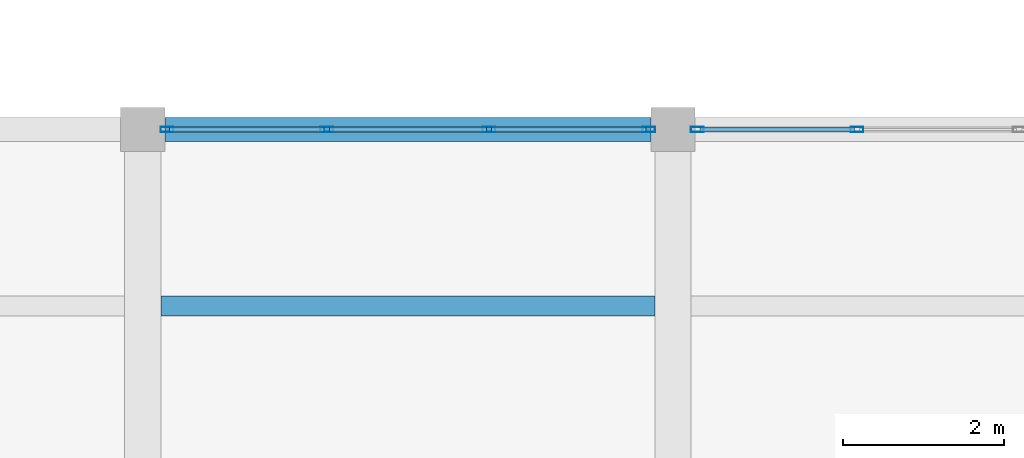
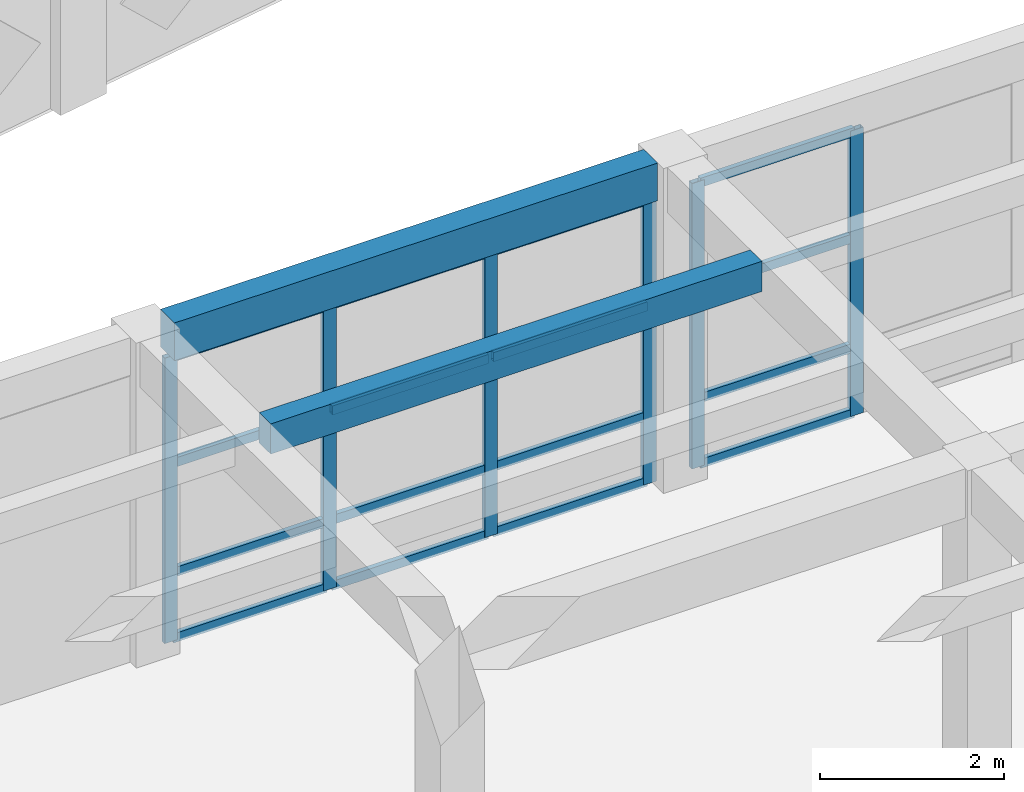
# One storey, part 5 of 48: 22 members, 2 beams, 2 elements without a shape of their own.
"""IFC4 building model written with IfcOpenShell, lengths in metres."""

from ifc_helpers import new_model, si_unit, direction, frame, origin, origin_2d, place, context, subcontext, project, spatial, rectangle, hollow_rectangle, extrude, material, layer, layer_set, material_profile, profile_set, type_object, element, aggregate, save


model = new_model("IFC4")

# Units and contexts
model_context = context("Model", 3, precision=1e-05, world=origin(), true_north=direction((0.0, 1.0)))
body_context = subcontext(model_context, "Body", "Model", "MODEL_VIEW")
ifc_project = project(units=[si_unit("LENGTHUNIT", "METRE"), si_unit("AREAUNIT", "SQUARE_METRE"), si_unit("VOLUMEUNIT", "CUBIC_METRE"), si_unit("PLANEANGLEUNIT", "RADIAN"), si_unit("MASSUNIT", "GRAM", prefix="KILO")], contexts=[model_context])

# Site, building, storey
site_placement = place(None, origin())
site = spatial("IfcSite", under=ifc_project, at=site_placement, CompositionType="ELEMENT")
building_placement = place(site_placement, origin())
building = spatial("IfcBuilding", under=site, at=building_placement, Name="Kharisveld Research Institute", CompositionType="ELEMENT")
storey_placement = place(building_placement, frame((0.0, 0.0, 14.10009765625)))
storey = spatial("IfcBuildingStorey", under=building, at=storey_placement, Name="L03", CompositionType="ELEMENT", Elevation=14.10009765625)

# Curtain wall, members
ifc_material_1 = material(Name="Thermally Broken Aluminium Curtain Wall", Category="aluminium")
ifc_layer_1 = layer(ifc_material_1, 0.159912109375)
ifc_layer_set_1 = layer_set([ifc_layer_1], Name="CW_SYS_05")
curtain_wall_type_1 = type_object("IfcCurtainWallType", Name="CW_SYS_05", PredefinedType="NOTDEFINED", material=ifc_layer_set_1)
curtain_wall_1_placement = place(storey_placement, origin())
curtain_wall_1 = element("IfcCurtainWall", 1, at=curtain_wall_1_placement, inside=storey, type_object=curtain_wall_type_1, Name="CW:V3:L03:N1", PredefinedType="NOTDEFINED")
ifc_material_2 = material(Name="Anodised Aluminium AW-6063-T6", Category="aluminium")
ifc_material_profile_1 = material_profile(ifc_material_2, hollow_rectangle(XDim=0.06494140625, YDim=0.159912109375, WallThickness=0.00390625, at=origin_2d()))
ifc_profile_set_1 = profile_set([ifc_material_profile_1], Name="Anodised Aluminium AW-6063-T6")
member_type_1 = type_object("IfcMemberType", Name="CW_MUL_160", PredefinedType="MULLION", material=ifc_profile_set_1)
member_1_placement = place(storey_placement, frame((7.50244140625, 26.60009765625, 0.0), z_axis=(0.0, 0.0, 1.0), x_axis=(0.0, 1.0, 0.0)))
member_1 = element("IfcMember", 2, at=member_1_placement, type_object=member_type_1, Name="CW-05 mullion 1", PredefinedType="MULLION", context=body_context, shape_type="SweptSolid", body=[
    extrude(hollow_rectangle(XDim=0.06494140625, YDim=0.159912109375, WallThickness=0.00390625, at=origin_2d()), origin(), (0.0, 0.0, 1.0), 3.77978515625),
])
member_2_placement = place(storey_placement, frame((9.489990234375, 26.60009765625, 0.0), z_axis=(0.0, 0.0, 1.0), x_axis=(0.0, 1.0, 0.0)))
member_2 = element("IfcMember", 3, at=member_2_placement, type_object=member_type_1, Name="CW-05 mullion 2", PredefinedType="MULLION", context=body_context, shape_type="SweptSolid", body=[
    extrude(hollow_rectangle(XDim=0.06494140625, YDim=0.159912109375, WallThickness=0.00390625, at=origin_2d()), origin(), (0.0, 0.0, 1.0), 3.77978515625),
])
member_3_placement = place(storey_placement, frame((11.510009765625, 26.60009765625, 0.0), z_axis=(0.0, 0.0, 1.0), x_axis=(0.0, 1.0, 0.0)))
member_3 = element("IfcMember", 4, at=member_3_placement, type_object=member_type_1, Name="CW-05 mullion 3", PredefinedType="MULLION", context=body_context, shape_type="SweptSolid", body=[
    extrude(hollow_rectangle(XDim=0.06494140625, YDim=0.159912109375, WallThickness=0.00390625, at=origin_2d()), origin(), (0.0, 0.0, 1.0), 3.77978515625),
])
member_4_placement = place(storey_placement, frame((13.49755859375, 26.60009765625, 0.0), z_axis=(0.0, 0.0, 1.0), x_axis=(0.0, 1.0, 0.0)))
member_4 = element("IfcMember", 5, at=member_4_placement, type_object=member_type_1, Name="CW-05 mullion 4", PredefinedType="MULLION", context=body_context, shape_type="SweptSolid", body=[
    extrude(hollow_rectangle(XDim=0.06494140625, YDim=0.159912109375, WallThickness=0.00390625, at=origin_2d()), origin(), (0.0, 0.0, 1.0), 3.77978515625),
])

ifc_material_3 = material(Name="Thermally Broken Aluminium Curtain Wall", Category="aluminium")
ifc_layer_2 = layer(ifc_material_3, 0.159912109375)
ifc_layer_set_2 = layer_set([ifc_layer_2], Name="CW_SYS_06")
curtain_wall_type_2 = type_object("IfcCurtainWallType", Name="CW_SYS_06", PredefinedType="NOTDEFINED", material=ifc_layer_set_2)
curtain_wall_2_placement = place(storey_placement, origin())
curtain_wall_2 = element("IfcCurtainWall", 6, at=curtain_wall_2_placement, inside=storey, type_object=curtain_wall_type_2, Name="CW:V3:L03:N2", PredefinedType="NOTDEFINED")
member_5_placement = place(storey_placement, frame((14.1025390625, 26.60009765625, 0.0), z_axis=(0.0, 0.0, 1.0), x_axis=(0.0, 1.0, 0.0)))
member_5 = element("IfcMember", 7, at=member_5_placement, type_object=member_type_1, Name="CW-06 mullion 1", PredefinedType="MULLION", context=body_context, shape_type="SweptSolid", body=[
    extrude(hollow_rectangle(XDim=0.06494140625, YDim=0.159912109375, WallThickness=0.00390625, at=origin_2d()), origin(), (0.0, 0.0, 1.0), 3.77978515625),
])
member_6_placement = place(storey_placement, frame((16.090087890625, 26.60009765625, 0.0), z_axis=(0.0, 0.0, 1.0), x_axis=(0.0, 1.0, 0.0)))
member_6 = element("IfcMember", 8, at=member_6_placement, type_object=member_type_1, Name="CW-06 mullion 2", PredefinedType="MULLION", context=body_context, shape_type="SweptSolid", body=[
    extrude(hollow_rectangle(XDim=0.06494140625, YDim=0.159912109375, WallThickness=0.00390625, at=origin_2d()), origin(), (0.0, 0.0, 1.0), 3.77978515625),
])

# Member
ifc_material_4 = material(Name="Anodised Aluminium AW-6063-T6", Category="aluminium")
ifc_material_profile_2 = material_profile(ifc_material_4, hollow_rectangle(XDim=0.06005859375, YDim=0.1201171875, WallThickness=0.00390625, at=origin_2d()))
ifc_profile_set_2 = profile_set([ifc_material_profile_2], Name="Anodised Aluminium AW-6063-T6")
member_type_2 = type_object("IfcMemberType", Name="CW_TRN_120", PredefinedType="USERDEFINED", material=ifc_profile_set_2)
member_7_placement = place(storey_placement, frame((7.534912109375, 26.60009765625, 0.02978515625), z_axis=(1.0, 0.0, 0.0), x_axis=(0.0, 1.0, 0.0)))
member_7 = element("IfcMember", 9, at=member_7_placement, type_object=member_type_2, Name="CW-05 transom 1.1", ObjectType="TRANSOM", PredefinedType="USERDEFINED", context=body_context, shape_type="SweptSolid", body=[
    extrude(hollow_rectangle(XDim=0.06005859375, YDim=0.1201171875, WallThickness=0.00390625, at=origin_2d()), origin(), (0.0, 0.0, 1.0), 1.922607421875),
])

member_8_placement = place(storey_placement, frame((7.534912109375, 26.60009765625, 0.89990234375), z_axis=(1.0, 0.0, 0.0), x_axis=(0.0, 1.0, 0.0)))
member_8 = element("IfcMember", 10, at=member_8_placement, type_object=member_type_2, Name="CW-05 transom 1.2", ObjectType="TRANSOM", PredefinedType="USERDEFINED", context=body_context, shape_type="SweptSolid", body=[
    extrude(hollow_rectangle(XDim=0.06005859375, YDim=0.1201171875, WallThickness=0.00390625, at=origin_2d()), origin(), (0.0, 0.0, 1.0), 1.922607421875),
])

member_9_placement = place(storey_placement, frame((7.534912109375, 26.60009765625, 2.349853515625), z_axis=(1.0, 0.0, 0.0), x_axis=(0.0, 1.0, 0.0)))
member_9 = element("IfcMember", 11, at=member_9_placement, type_object=member_type_2, Name="CW-05 transom 1.3", ObjectType="TRANSOM", PredefinedType="USERDEFINED", context=body_context, shape_type="SweptSolid", body=[
    extrude(hollow_rectangle(XDim=0.06005859375, YDim=0.1201171875, WallThickness=0.00390625, at=origin_2d()), origin(), (0.0, 0.0, 1.0), 1.922607421875),
])

member_10_placement = place(storey_placement, frame((7.534912109375, 26.60009765625, 3.75), z_axis=(1.0, 0.0, 0.0), x_axis=(0.0, 1.0, 0.0)))
member_10 = element("IfcMember", 12, at=member_10_placement, type_object=member_type_2, Name="CW-05 transom 1.4", ObjectType="TRANSOM", PredefinedType="USERDEFINED", context=body_context, shape_type="SweptSolid", body=[
    extrude(hollow_rectangle(XDim=0.06005859375, YDim=0.1201171875, WallThickness=0.00390625, at=origin_2d()), origin(), (0.0, 0.0, 1.0), 1.922607421875),
])

member_11_placement = place(storey_placement, frame((9.5224609375, 26.60009765625, 0.02978515625), z_axis=(1.0, 0.0, 0.0), x_axis=(0.0, 1.0, 0.0)))
member_11 = element("IfcMember", 13, at=member_11_placement, type_object=member_type_2, Name="CW-05 transom 2.1", ObjectType="TRANSOM", PredefinedType="USERDEFINED", context=body_context, shape_type="SweptSolid", body=[
    extrude(hollow_rectangle(XDim=0.06005859375, YDim=0.1201171875, WallThickness=0.00390625, at=origin_2d()), origin(), (0.0, 0.0, 1.0), 1.955078125),
])

member_12_placement = place(storey_placement, frame((9.5224609375, 26.60009765625, 0.89990234375), z_axis=(1.0, 0.0, 0.0), x_axis=(0.0, 1.0, 0.0)))
member_12 = element("IfcMember", 14, at=member_12_placement, type_object=member_type_2, Name="CW-05 transom 2.2", ObjectType="TRANSOM", PredefinedType="USERDEFINED", context=body_context, shape_type="SweptSolid", body=[
    extrude(hollow_rectangle(XDim=0.06005859375, YDim=0.1201171875, WallThickness=0.00390625, at=origin_2d()), origin(), (0.0, 0.0, 1.0), 1.955078125),
])

member_13_placement = place(storey_placement, frame((9.5224609375, 26.60009765625, 2.349853515625), z_axis=(1.0, 0.0, 0.0), x_axis=(0.0, 1.0, 0.0)))
member_13 = element("IfcMember", 15, at=member_13_placement, type_object=member_type_2, Name="CW-05 transom 2.3", ObjectType="TRANSOM", PredefinedType="USERDEFINED", context=body_context, shape_type="SweptSolid", body=[
    extrude(hollow_rectangle(XDim=0.06005859375, YDim=0.1201171875, WallThickness=0.00390625, at=origin_2d()), origin(), (0.0, 0.0, 1.0), 1.955078125),
])

member_14_placement = place(storey_placement, frame((9.5224609375, 26.60009765625, 3.75), z_axis=(1.0, 0.0, 0.0), x_axis=(0.0, 1.0, 0.0)))
member_14 = element("IfcMember", 16, at=member_14_placement, type_object=member_type_2, Name="CW-05 transom 2.4", ObjectType="TRANSOM", PredefinedType="USERDEFINED", context=body_context, shape_type="SweptSolid", body=[
    extrude(hollow_rectangle(XDim=0.06005859375, YDim=0.1201171875, WallThickness=0.00390625, at=origin_2d()), origin(), (0.0, 0.0, 1.0), 1.955078125),
])

member_15_placement = place(storey_placement, frame((11.54248046875, 26.60009765625, 0.02978515625), z_axis=(1.0, 0.0, 0.0), x_axis=(0.0, 1.0, 0.0)))
member_15 = element("IfcMember", 17, at=member_15_placement, type_object=member_type_2, Name="CW-05 transom 3.1", ObjectType="TRANSOM", PredefinedType="USERDEFINED", context=body_context, shape_type="SweptSolid", body=[
    extrude(hollow_rectangle(XDim=0.06005859375, YDim=0.1201171875, WallThickness=0.00390625, at=origin_2d()), origin(), (0.0, 0.0, 1.0), 1.922607421875),
])

member_16_placement = place(storey_placement, frame((11.54248046875, 26.60009765625, 0.89990234375), z_axis=(1.0, 0.0, 0.0), x_axis=(0.0, 1.0, 0.0)))
member_16 = element("IfcMember", 18, at=member_16_placement, type_object=member_type_2, Name="CW-05 transom 3.2", ObjectType="TRANSOM", PredefinedType="USERDEFINED", context=body_context, shape_type="SweptSolid", body=[
    extrude(hollow_rectangle(XDim=0.06005859375, YDim=0.1201171875, WallThickness=0.00390625, at=origin_2d()), origin(), (0.0, 0.0, 1.0), 1.922607421875),
])

member_17_placement = place(storey_placement, frame((11.54248046875, 26.60009765625, 2.349853515625), z_axis=(1.0, 0.0, 0.0), x_axis=(0.0, 1.0, 0.0)))
member_17 = element("IfcMember", 19, at=member_17_placement, type_object=member_type_2, Name="CW-05 transom 3.3", ObjectType="TRANSOM", PredefinedType="USERDEFINED", context=body_context, shape_type="SweptSolid", body=[
    extrude(hollow_rectangle(XDim=0.06005859375, YDim=0.1201171875, WallThickness=0.00390625, at=origin_2d()), origin(), (0.0, 0.0, 1.0), 1.922607421875),
])

member_18_placement = place(storey_placement, frame((11.54248046875, 26.60009765625, 3.75), z_axis=(1.0, 0.0, 0.0), x_axis=(0.0, 1.0, 0.0)))
member_18 = element("IfcMember", 20, at=member_18_placement, type_object=member_type_2, Name="CW-05 transom 3.4", ObjectType="TRANSOM", PredefinedType="USERDEFINED", context=body_context, shape_type="SweptSolid", body=[
    extrude(hollow_rectangle(XDim=0.06005859375, YDim=0.1201171875, WallThickness=0.00390625, at=origin_2d()), origin(), (0.0, 0.0, 1.0), 1.922607421875),
])

aggregate(curtain_wall_1, [member_1, member_2, member_3, member_4, member_7, member_8, member_9, member_10, member_11, member_12, member_13, member_14, member_15, member_16, member_17, member_18])

member_19_placement = place(storey_placement, frame((14.135009765625, 26.60009765625, 0.02978515625), z_axis=(1.0, 0.0, 0.0), x_axis=(0.0, 1.0, 0.0)))
member_19 = element("IfcMember", 21, at=member_19_placement, type_object=member_type_2, Name="CW-06 transom 1.1", ObjectType="TRANSOM", PredefinedType="USERDEFINED", context=body_context, shape_type="SweptSolid", body=[
    extrude(hollow_rectangle(XDim=0.06005859375, YDim=0.1201171875, WallThickness=0.00390625, at=origin_2d()), origin(), (0.0, 0.0, 1.0), 1.922607421875),
])

member_20_placement = place(storey_placement, frame((14.135009765625, 26.60009765625, 0.89990234375), z_axis=(1.0, 0.0, 0.0), x_axis=(0.0, 1.0, 0.0)))
member_20 = element("IfcMember", 22, at=member_20_placement, type_object=member_type_2, Name="CW-06 transom 1.2", ObjectType="TRANSOM", PredefinedType="USERDEFINED", context=body_context, shape_type="SweptSolid", body=[
    extrude(hollow_rectangle(XDim=0.06005859375, YDim=0.1201171875, WallThickness=0.00390625, at=origin_2d()), origin(), (0.0, 0.0, 1.0), 1.922607421875),
])

member_21_placement = place(storey_placement, frame((14.135009765625, 26.60009765625, 2.349853515625), z_axis=(1.0, 0.0, 0.0), x_axis=(0.0, 1.0, 0.0)))
member_21 = element("IfcMember", 23, at=member_21_placement, type_object=member_type_2, Name="CW-06 transom 1.3", ObjectType="TRANSOM", PredefinedType="USERDEFINED", context=body_context, shape_type="SweptSolid", body=[
    extrude(hollow_rectangle(XDim=0.06005859375, YDim=0.1201171875, WallThickness=0.00390625, at=origin_2d()), origin(), (0.0, 0.0, 1.0), 1.922607421875),
])

member_22_placement = place(storey_placement, frame((14.135009765625, 26.60009765625, 3.75), z_axis=(1.0, 0.0, 0.0), x_axis=(0.0, 1.0, 0.0)))
member_22 = element("IfcMember", 24, at=member_22_placement, type_object=member_type_2, Name="CW-06 transom 1.4", ObjectType="TRANSOM", PredefinedType="USERDEFINED", context=body_context, shape_type="SweptSolid", body=[
    extrude(hollow_rectangle(XDim=0.06005859375, YDim=0.1201171875, WallThickness=0.00390625, at=origin_2d()), origin(), (0.0, 0.0, 1.0), 1.922607421875),
])

aggregate(curtain_wall_2, [member_5, member_6, member_19, member_20, member_21, member_22])

# Beams
ifc_material_5 = material(Name="Concrete C40/50", Category="concrete")
ifc_material_profile_3 = material_profile(ifc_material_5, rectangle(XDim=0.300048828125, YDim=0.5, at=origin_2d()))
ifc_profile_set_3 = profile_set([ifc_material_profile_3], Name="Concrete C40/50")
beam_type_1 = type_object("IfcBeamType", Name="SP_RC_300x500", PredefinedType="SPANDREL", material=ifc_profile_set_3)
beam_1_placement = place(storey_placement, frame((7.47509765625, 26.60009765625, 4.0498046875), z_axis=(1.0, 0.0, 0.0), x_axis=(0.0, 1.0, 0.0)))
element("IfcBeam", 25, at=beam_1_placement, inside=storey, type_object=beam_type_1, Name="BM:V3:L03:U1_4", PredefinedType="SPANDREL", context=body_context, shape_type="SweptSolid", body=[
    extrude(rectangle(XDim=0.300048828125, YDim=0.5, at=origin_2d()), origin(), (0.0, 0.0, 1.0), 6.0498046875),
])
ifc_material_6 = material(Name="Concrete C40/50", Category="concrete")
ifc_material_profile_4 = material_profile(ifc_material_6, rectangle(XDim=0.25, YDim=0.39990234375, at=origin_2d()))
ifc_profile_set_4 = profile_set([ifc_material_profile_4], Name="Concrete C40/50")
beam_type_2 = type_object("IfcBeamType", Name="WB_RC_250x400", PredefinedType="JOIST", material=ifc_profile_set_4)
beam_2_placement = place(storey_placement, frame((7.425048828125, 24.39990234375, 4.099853515625), z_axis=(1.0, 0.0, 0.0), x_axis=(0.0, 1.0, 0.0)))
element("IfcBeam", 26, at=beam_2_placement, inside=storey, type_object=beam_type_2, Name="BM:V3:L03:J_1_3_R2", PredefinedType="JOIST", context=body_context, shape_type="SweptSolid", body=[
    extrude(rectangle(XDim=0.25, YDim=0.39990234375, at=origin_2d()), origin(), (0.0, 0.0, 1.0), 6.14990234375),
])

save(model, "model.ifc")
